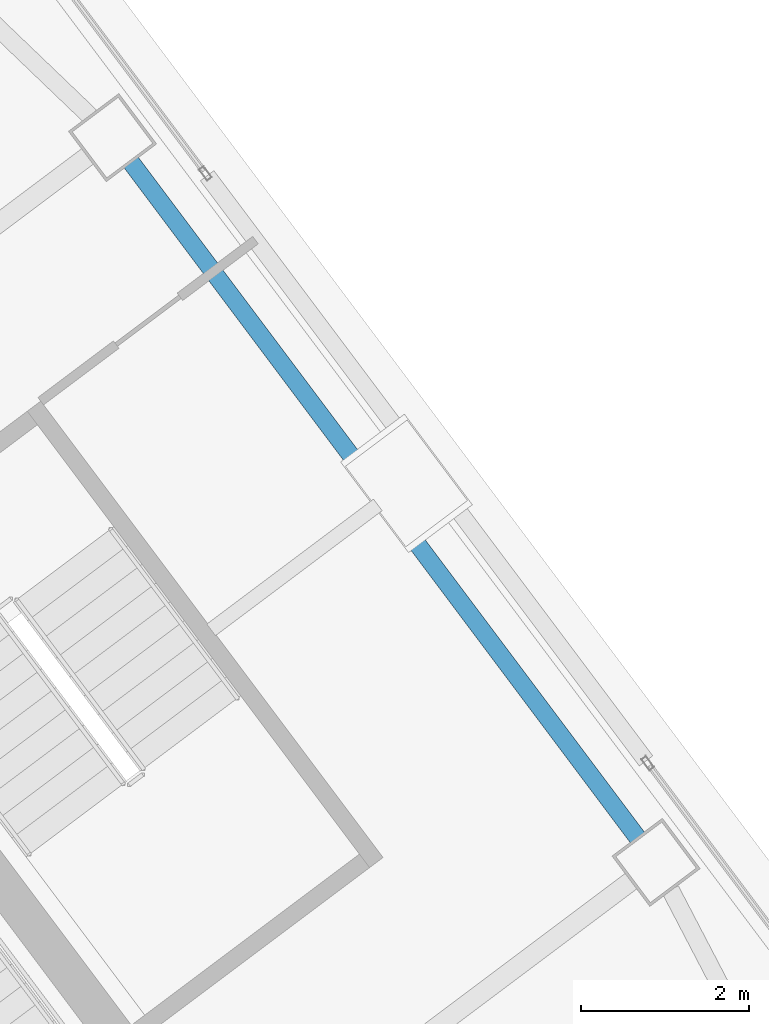
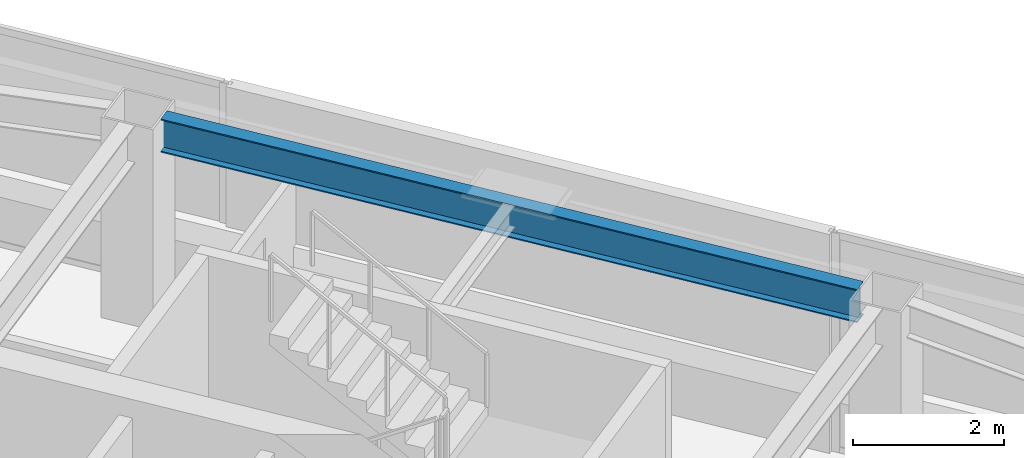
# One storey, part 25 of 39: 1 beam.
"""IFC4 building model written with IfcOpenShell, lengths in metres."""

from ifc_helpers import new_model, si_unit, direction, frame, origin, origin_2d, place, context, subcontext, project, spatial, i_section, extrude, material, material_profile, profile_set, type_object, element, save


model = new_model("IFC4")

# Units and contexts
model_context = context("Model", 3, precision=1e-05, world=origin(), true_north=direction((0.0, 1.0)))
body_context = subcontext(model_context, "Body", "Model", "MODEL_VIEW")
ifc_project = project(units=[si_unit("LENGTHUNIT", "METRE"), si_unit("AREAUNIT", "SQUARE_METRE"), si_unit("VOLUMEUNIT", "CUBIC_METRE"), si_unit("PLANEANGLEUNIT", "RADIAN"), si_unit("MASSUNIT", "GRAM", prefix="KILO")], contexts=[model_context])

# Site, building, storey
site_placement = place(None, origin())
site = spatial("IfcSite", under=ifc_project, at=site_placement, CompositionType="ELEMENT")
building_placement = place(site_placement, origin())
building = spatial("IfcBuilding", under=site, at=building_placement, Name="Tashvorn Skyway Center", CompositionType="ELEMENT")
storey_placement = place(building_placement, frame((0.0, 0.0, 243.25)))
storey = spatial("IfcBuildingStorey", under=building, at=storey_placement, Name="L66", CompositionType="ELEMENT", Elevation=243.25)

# Beam
ifc_material = material(Name="Steel ASTM A992 Grade 50", Category="steel")
ifc_material_profile = material_profile(ifc_material, i_section(OverallWidth=0.2109375, OverallDepth=0.5390625, WebThickness=0.01171875, FlangeThickness=0.018798828125, at=origin_2d()), Name="W21X73")
ifc_profile_set = profile_set([ifc_material_profile], Name="Steel ASTM A992 Grade 50")
beam_type = type_object("IfcBeamType", Name="BM-SPANDREL-W21X73", PredefinedType="SPANDREL", material=ifc_profile_set)
beam_placement = place(storey_placement, frame((128.41796875, 36.52587890625, 2.98046875), z_axis=(-0.599988351091, 0.800008736549, 0.0), x_axis=(-0.800008736549, -0.599988351091, 0.0)))
element("IfcBeam", 1, at=beam_placement, inside=storey, type_object=beam_type, Name="Tower 2 L66 Spandrel Beam 05", PredefinedType="SPANDREL", context=body_context, shape_type="SweptSolid", body=[
    extrude(i_section(OverallWidth=0.2109375, OverallDepth=0.5390625, WebThickness=0.01171875, FlangeThickness=0.018798828125, at=origin_2d()), origin(), (0.0, 0.0, 1.0), 10.06005859375),
])

save(model, "model.ifc")
